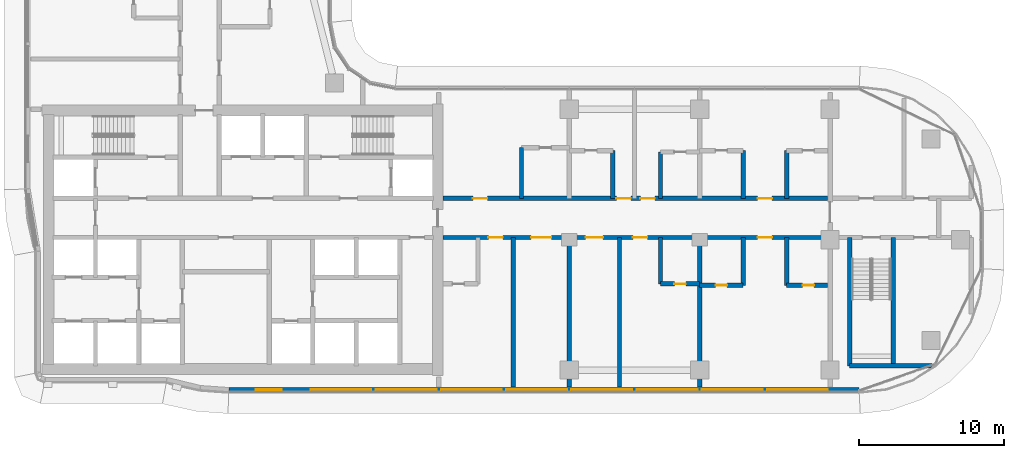
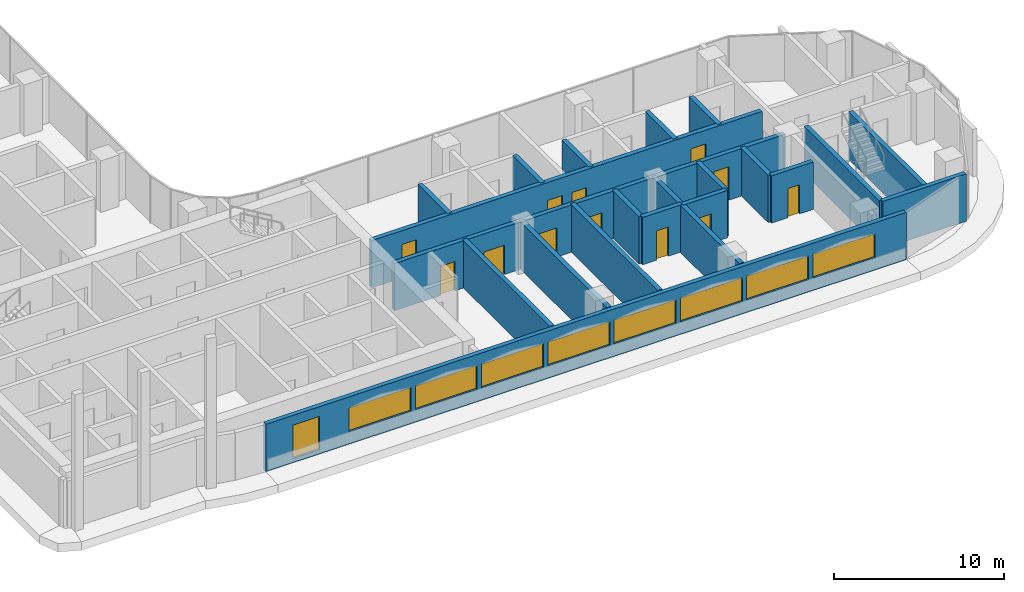
# One storey, part 11 of 25: 21 walls, 12 doors, 9 windows, 21 openings.
"""IFC4 building model written with IfcOpenShell, lengths in metres."""

from ifc_helpers import new_model, si_unit, direction, frame, frame_2d, origin, place, context, subcontext, project, spatial, rectangle, extrude, material, layer, layer_set, type_object, element, fill, save


model = new_model("IFC4")

# Units and contexts
model_context = context("Model", 3, precision=1e-05, world=origin(), true_north=direction((0.0, 1.0)))
body_context = subcontext(model_context, "Body", "Model", "MODEL_VIEW")
ifc_project = project(units=[si_unit("LENGTHUNIT", "METRE"), si_unit("AREAUNIT", "SQUARE_METRE"), si_unit("VOLUMEUNIT", "CUBIC_METRE"), si_unit("PLANEANGLEUNIT", "RADIAN"), si_unit("MASSUNIT", "GRAM", prefix="KILO")], contexts=[model_context])

# Site, building, storey
site_placement = place(None, origin())
site = spatial("IfcSite", under=ifc_project, at=site_placement, CompositionType="ELEMENT")
building_placement = place(site_placement, origin())
building = spatial("IfcBuilding", under=site, at=building_placement, Name="Ogive Portal Towers", CompositionType="ELEMENT")
storey_placement = place(building_placement, frame((0.0, 0.0, 105.60009765625)))
storey = spatial("IfcBuildingStorey", under=building, at=storey_placement, Name="L25", CompositionType="ELEMENT", Elevation=105.60009765625)

# Wall, openings, windows
ifc_material_1 = material(Name="Limestone cladding on lightweight block wall", Category="masonry")
ifc_layer_1 = layer(ifc_material_1, 0.300048828125)
ifc_layer_set_1 = layer_set([ifc_layer_1], Name="EXTERNAL WALL 300 STONE")
wall_type_1 = type_object("IfcWallType", Name="EXTERNAL WALL 300 STONE", PredefinedType="SOLIDWALL", material=ifc_layer_set_1)
wall_1_placement = place(storey_placement, frame((44.0107421875, 20.14990234375, 0.0), z_axis=(0.0, 0.0, 1.0), x_axis=(1.0, 0.0, 0.0)))
wall_1 = element("IfcWall", 1, at=wall_1_placement, inside=storey, type_object=wall_type_1, Name="A:L25:f06:r0:wall", PredefinedType="SOLIDWALL", context=body_context, shape_type="SweptSolid", body=[
    extrude(rectangle(XDim=43.4755859375, YDim=0.300048828125, at=frame_2d((21.73779296875, 0.0))), origin(), (0.0, 0.0, 1.0), 3.39990234375),
])
opening_1_placement = place(wall_1_placement, frame((1.8447265625, 0.0, 0.300048828125)))
opening_1 = element("IfcOpeningElement", 2, at=opening_1_placement, cuts=wall_1, Name="Opening WN10", PredefinedType="OPENING", context=body_context, shape_type="SweptSolid", body=[
    extrude(rectangle(XDim=1.800048828125, YDim=2.39990234375, at=frame_2d((0.89990234375, 1.199951171875))), frame((0.0, 0.16015625, 0.0), z_axis=(0.0, -1.0, 0.0), x_axis=(1.0, 0.0, 0.0)), (0.0, 0.0, 1.0), 0.320068359375),
])
opening_2_placement = place(wall_1_placement, frame((5.639404296875, 0.0, 0.89990234375)))
opening_2 = element("IfcOpeningElement", 3, at=opening_2_placement, cuts=wall_1, Name="Opening WN13", PredefinedType="OPENING", context=body_context, shape_type="SweptSolid", body=[
    extrude(rectangle(XDim=4.199951171875, YDim=1.699951171875, at=frame_2d((2.10009765625, 0.85009765625))), frame((0.0, 0.16015625, 0.0), z_axis=(0.0, -1.0, 0.0), x_axis=(1.0, 0.0, 0.0)), (0.0, 0.0, 1.0), 0.320068359375),
])
opening_3_placement = place(wall_1_placement, frame((10.139404296875, 0.0, 0.89990234375)))
opening_3 = element("IfcOpeningElement", 4, at=opening_3_placement, cuts=wall_1, Name="Opening WN13", PredefinedType="OPENING", context=body_context, shape_type="SweptSolid", body=[
    extrude(rectangle(XDim=4.199951171875, YDim=1.699951171875, at=frame_2d((2.10009765625, 0.85009765625))), frame((0.0, 0.16015625, 0.0), z_axis=(0.0, -1.0, 0.0), x_axis=(1.0, 0.0, 0.0)), (0.0, 0.0, 1.0), 0.320068359375),
])
opening_4_placement = place(wall_1_placement, frame((14.639404296875, 0.0, 0.89990234375)))
opening_4 = element("IfcOpeningElement", 5, at=opening_4_placement, cuts=wall_1, Name="Opening WN13", PredefinedType="OPENING", context=body_context, shape_type="SweptSolid", body=[
    extrude(rectangle(XDim=4.199951171875, YDim=1.699951171875, at=frame_2d((2.10009765625, 0.85009765625))), frame((0.0, 0.16015625, 0.0), z_axis=(0.0, -1.0, 0.0), x_axis=(1.0, 0.0, 0.0)), (0.0, 0.0, 1.0), 0.320068359375),
])
opening_5_placement = place(wall_1_placement, frame((19.139404296875, 0.0, 0.89990234375)))
opening_5 = element("IfcOpeningElement", 6, at=opening_5_placement, cuts=wall_1, Name="Opening WN13", PredefinedType="OPENING", context=body_context, shape_type="SweptSolid", body=[
    extrude(rectangle(XDim=4.199951171875, YDim=1.699951171875, at=frame_2d((2.10009765625, 0.85009765625))), frame((0.0, 0.16015625, 0.0), z_axis=(0.0, -1.0, 0.0), x_axis=(1.0, 0.0, 0.0)), (0.0, 0.0, 1.0), 0.320068359375),
])
opening_6_placement = place(wall_1_placement, frame((23.639404296875, 0.0, 0.89990234375)))
opening_6 = element("IfcOpeningElement", 7, at=opening_6_placement, cuts=wall_1, Name="Opening WN13", PredefinedType="OPENING", context=body_context, shape_type="SweptSolid", body=[
    extrude(rectangle(XDim=4.199951171875, YDim=1.699951171875, at=frame_2d((2.10009765625, 0.85009765625))), frame((0.0, 0.16015625, 0.0), z_axis=(0.0, -1.0, 0.0), x_axis=(1.0, 0.0, 0.0)), (0.0, 0.0, 1.0), 0.320068359375),
])
opening_7_placement = place(wall_1_placement, frame((28.139404296875, 0.0, 0.89990234375)))
opening_7 = element("IfcOpeningElement", 8, at=opening_7_placement, cuts=wall_1, Name="Opening WN13", PredefinedType="OPENING", context=body_context, shape_type="SweptSolid", body=[
    extrude(rectangle(XDim=4.199951171875, YDim=1.699951171875, at=frame_2d((2.10009765625, 0.85009765625))), frame((0.0, 0.16015625, 0.0), z_axis=(0.0, -1.0, 0.0), x_axis=(1.0, 0.0, 0.0)), (0.0, 0.0, 1.0), 0.320068359375),
])
opening_8_placement = place(wall_1_placement, frame((32.639404296875, 0.0, 0.89990234375)))
opening_8 = element("IfcOpeningElement", 9, at=opening_8_placement, cuts=wall_1, Name="Opening WN13", PredefinedType="OPENING", context=body_context, shape_type="SweptSolid", body=[
    extrude(rectangle(XDim=4.199951171875, YDim=1.699951171875, at=frame_2d((2.10009765625, 0.85009765625))), frame((0.0, 0.16015625, 0.0), z_axis=(0.0, -1.0, 0.0), x_axis=(1.0, 0.0, 0.0)), (0.0, 0.0, 1.0), 0.320068359375),
])
opening_9_placement = place(wall_1_placement, frame((37.139404296875, 0.0, 0.89990234375)))
opening_9 = element("IfcOpeningElement", 10, at=opening_9_placement, cuts=wall_1, Name="Opening WN13", PredefinedType="OPENING", context=body_context, shape_type="SweptSolid", body=[
    extrude(rectangle(XDim=4.199951171875, YDim=1.699951171875, at=frame_2d((2.10009765625, 0.85009765625))), frame((0.0, 0.16015625, 0.0), z_axis=(0.0, -1.0, 0.0), x_axis=(1.0, 0.0, 0.0)), (0.0, 0.0, 1.0), 0.320068359375),
])
ifc_material_2 = material(Name="Glass, clear low-iron insulated glazing", Category="glass")
window_type_1 = type_object("IfcWindowType", Name="WINDOW RIBBON LANCET 4200x1700", PartitioningType="TRIPLE_PANEL_VERTICAL", PredefinedType="WINDOW", material=ifc_material_2)
window_1_placement = place(opening_2_placement, origin())
window_1 = element("IfcWindow", 11, at=window_1_placement, inside=storey, type_object=window_type_1, Name="A:L25:f06:r0:w1", OverallHeight=1.699951171875, OverallWidth=4.199951171875, PartitioningType="SINGLE_PANEL", PredefinedType="WINDOW", context=body_context, shape_type="SweptSolid", body=[
    extrude(rectangle(XDim=4.199951171875, YDim=1.699951171875, at=frame_2d((2.10009765625, 0.85009765625))), frame((0.0, 0.030029296875, 0.0), z_axis=(0.0, -1.0, 0.0), x_axis=(1.0, 0.0, 0.0)), (0.0, 0.0, 1.0), 0.06005859375),
])
fill(opening_2, window_1)
window_2_placement = place(opening_3_placement, origin())
window_2 = element("IfcWindow", 12, at=window_2_placement, inside=storey, type_object=window_type_1, Name="A:L25:f06:r0:w2", OverallHeight=1.699951171875, OverallWidth=4.199951171875, PartitioningType="SINGLE_PANEL", PredefinedType="WINDOW", context=body_context, shape_type="SweptSolid", body=[
    extrude(rectangle(XDim=4.199951171875, YDim=1.699951171875, at=frame_2d((2.10009765625, 0.85009765625))), frame((0.0, 0.030029296875, 0.0), z_axis=(0.0, -1.0, 0.0), x_axis=(1.0, 0.0, 0.0)), (0.0, 0.0, 1.0), 0.06005859375),
])
fill(opening_3, window_2)
window_3_placement = place(opening_4_placement, origin())
window_3 = element("IfcWindow", 13, at=window_3_placement, inside=storey, type_object=window_type_1, Name="A:L25:f06:r0:w3", OverallHeight=1.699951171875, OverallWidth=4.199951171875, PartitioningType="SINGLE_PANEL", PredefinedType="WINDOW", context=body_context, shape_type="SweptSolid", body=[
    extrude(rectangle(XDim=4.199951171875, YDim=1.699951171875, at=frame_2d((2.10009765625, 0.85009765625))), frame((0.0, 0.030029296875, 0.0), z_axis=(0.0, -1.0, 0.0), x_axis=(1.0, 0.0, 0.0)), (0.0, 0.0, 1.0), 0.06005859375),
])
fill(opening_4, window_3)
window_4_placement = place(opening_5_placement, origin())
window_4 = element("IfcWindow", 14, at=window_4_placement, inside=storey, type_object=window_type_1, Name="A:L25:f06:r0:w4", OverallHeight=1.699951171875, OverallWidth=4.199951171875, PartitioningType="SINGLE_PANEL", PredefinedType="WINDOW", context=body_context, shape_type="SweptSolid", body=[
    extrude(rectangle(XDim=4.199951171875, YDim=1.699951171875, at=frame_2d((2.10009765625, 0.85009765625))), frame((0.0, 0.030029296875, 0.0), z_axis=(0.0, -1.0, 0.0), x_axis=(1.0, 0.0, 0.0)), (0.0, 0.0, 1.0), 0.06005859375),
])
fill(opening_5, window_4)
window_5_placement = place(opening_6_placement, origin())
window_5 = element("IfcWindow", 15, at=window_5_placement, inside=storey, type_object=window_type_1, Name="A:L25:f06:r0:w5", OverallHeight=1.699951171875, OverallWidth=4.199951171875, PartitioningType="SINGLE_PANEL", PredefinedType="WINDOW", context=body_context, shape_type="SweptSolid", body=[
    extrude(rectangle(XDim=4.199951171875, YDim=1.699951171875, at=frame_2d((2.10009765625, 0.85009765625))), frame((0.0, 0.030029296875, 0.0), z_axis=(0.0, -1.0, 0.0), x_axis=(1.0, 0.0, 0.0)), (0.0, 0.0, 1.0), 0.06005859375),
])
fill(opening_6, window_5)
window_6_placement = place(opening_7_placement, origin())
window_6 = element("IfcWindow", 16, at=window_6_placement, inside=storey, type_object=window_type_1, Name="A:L25:f06:r0:w6", OverallHeight=1.699951171875, OverallWidth=4.199951171875, PartitioningType="SINGLE_PANEL", PredefinedType="WINDOW", context=body_context, shape_type="SweptSolid", body=[
    extrude(rectangle(XDim=4.199951171875, YDim=1.699951171875, at=frame_2d((2.10009765625, 0.85009765625))), frame((0.0, 0.030029296875, 0.0), z_axis=(0.0, -1.0, 0.0), x_axis=(1.0, 0.0, 0.0)), (0.0, 0.0, 1.0), 0.06005859375),
])
fill(opening_7, window_6)
window_7_placement = place(opening_8_placement, origin())
window_7 = element("IfcWindow", 17, at=window_7_placement, inside=storey, type_object=window_type_1, Name="A:L25:f06:r0:w7", OverallHeight=1.699951171875, OverallWidth=4.199951171875, PartitioningType="SINGLE_PANEL", PredefinedType="WINDOW", context=body_context, shape_type="SweptSolid", body=[
    extrude(rectangle(XDim=4.199951171875, YDim=1.699951171875, at=frame_2d((2.10009765625, 0.85009765625))), frame((0.0, 0.030029296875, 0.0), z_axis=(0.0, -1.0, 0.0), x_axis=(1.0, 0.0, 0.0)), (0.0, 0.0, 1.0), 0.06005859375),
])
fill(opening_8, window_7)
window_8_placement = place(opening_9_placement, origin())
window_8 = element("IfcWindow", 18, at=window_8_placement, inside=storey, type_object=window_type_1, Name="A:L25:f06:r0:w8", OverallHeight=1.699951171875, OverallWidth=4.199951171875, PartitioningType="SINGLE_PANEL", PredefinedType="WINDOW", context=body_context, shape_type="SweptSolid", body=[
    extrude(rectangle(XDim=4.199951171875, YDim=1.699951171875, at=frame_2d((2.10009765625, 0.85009765625))), frame((0.0, 0.030029296875, 0.0), z_axis=(0.0, -1.0, 0.0), x_axis=(1.0, 0.0, 0.0)), (0.0, 0.0, 1.0), 0.06005859375),
])
fill(opening_9, window_8)
window_type_2 = type_object("IfcWindowType", Name="WINDOW SUITE CORNER 1800x2400", PartitioningType="DOUBLE_PANEL_VERTICAL", PredefinedType="WINDOW", material=ifc_material_2)
window_9_placement = place(opening_1_placement, origin())
window_9 = element("IfcWindow", 19, at=window_9_placement, inside=storey, type_object=window_type_2, Name="A:L25:f06:r0:w0", OverallHeight=2.39990234375, OverallWidth=1.800048828125, PartitioningType="SINGLE_PANEL", PredefinedType="WINDOW", context=body_context, shape_type="SweptSolid", body=[
    extrude(rectangle(XDim=1.800048828125, YDim=2.39990234375, at=frame_2d((0.89990234375, 1.199951171875))), frame((0.0, 0.030029296875, 0.0), z_axis=(0.0, -1.0, 0.0), x_axis=(1.0, 0.0, 0.0)), (0.0, 0.0, 1.0), 0.06005859375),
])
fill(opening_1, window_9)

# Walls
ifc_material_3 = material(Name="Concrete C50/60", Category="concrete")
ifc_layer_2 = layer(ifc_material_3, 0.300048828125)
ifc_layer_set_2 = layer_set([ifc_layer_2], Name="STAIR WALL 300 C50")
wall_type_2 = type_object("IfcWallType", Name="STAIR WALL 300 C50", PredefinedType="SHEAR", material=ifc_layer_set_2)
wall_2_placement = place(storey_placement, frame((86.85009765625, 21.800048828125, 0.0), z_axis=(0.0, 0.0, 1.0), x_axis=(1.0, 0.0, 0.0)))
element("IfcWall", 20, at=wall_2_placement, inside=storey, type_object=wall_type_2, Name="Stair wall ST-A4 L25", PredefinedType="SHEAR", context=body_context, shape_type="SweptSolid", body=[
    extrude(rectangle(XDim=5.664794921875, YDim=0.300048828125, at=frame_2d((2.83251953125, 0.0))), origin(), (0.0, 0.0, 1.0), 3.39990234375),
])
for number, where, z_axis, x_axis, name in (
    (21, (86.85009765625, 21.800048828125, 0.0), (0.0, 0.0, 1.0), (0.0, 1.0, 0.0), "Stair wall ST-A4 L25"),
    (22, (89.85009765625, 21.800048828125, 0.0), (0.0, 0.0, 1.0), (0.0, 1.0, 0.0), "Stair wall ST-A4 L25"),
):
    element("IfcWall", number, at=place(storey_placement, frame(where, z_axis=z_axis, x_axis=x_axis)), inside=storey, type_object=wall_type_2, Name=name, PredefinedType="SHEAR", context=body_context, shape_type="SweptSolid", body=[
        extrude(rectangle(XDim=8.849853515625, YDim=0.300048828125, at=frame_2d((4.4248046875, 0.0))), origin(), (0.0, 0.0, 1.0), 3.39990234375),
    ])

# Wall, openings, doors
ifc_material_4 = material(Name="Gypsum board partition on steel studs", Category="steel")
ifc_layer_3 = layer(ifc_material_4, 0.300048828125)
ifc_layer_set_3 = layer_set([ifc_layer_3], Name="WT-PART-300-EI 120")
wall_type_3 = type_object("IfcWallType", Name="WT-PART-300-EI 120", PredefinedType="PARTITIONING", material=ifc_layer_set_3)
wall_3_placement = place(storey_placement, frame((58.800048828125, 30.64990234375, 0.0), z_axis=(0.0, 0.0, 1.0), x_axis=(1.0, 0.0, 0.0)))
wall_3 = element("IfcWall", 23, at=wall_3_placement, inside=storey, type_object=wall_type_3, Name="Wall L25:w006", PredefinedType="PARTITIONING", context=body_context, shape_type="SweptSolid", body=[
    extrude(rectangle(XDim=26.530029296875, YDim=0.300048828125, at=frame_2d((13.26513671875, 0.0))), origin(), (0.0, 0.0, 1.0), 3.39990234375),
])
opening_10_placement = place(wall_3_placement, frame((3.114990234375, 0.0, 0.0)))
opening_10 = element("IfcOpeningElement", 24, at=opening_10_placement, cuts=wall_3, Name="Opening D09-027", PredefinedType="OPENING", context=body_context, shape_type="SweptSolid", body=[
    extrude(rectangle(XDim=1.0, YDim=2.10009765625, at=frame_2d((0.5, 1.050048828125))), frame((0.0, 0.16015625, 0.0), z_axis=(0.0, -1.0, 0.0), x_axis=(1.0, 0.0, 0.0)), (0.0, 0.0, 1.0), 0.320068359375),
])
opening_11_placement = place(wall_3_placement, frame((6.06494140625, 0.0, 0.0)))
opening_11 = element("IfcOpeningElement", 25, at=opening_11_placement, cuts=wall_3, Name="Opening D09-028", PredefinedType="OPENING", context=body_context, shape_type="SweptSolid", body=[
    extrude(rectangle(XDim=1.39990234375, YDim=2.10009765625, at=frame_2d((0.699951171875, 1.050048828125))), frame((0.0, 0.16015625, 0.0), z_axis=(0.0, -1.0, 0.0), x_axis=(1.0, 0.0, 0.0)), (0.0, 0.0, 1.0), 0.320068359375),
])
opening_12_placement = place(wall_3_placement, frame((9.8349609375, 0.0, 0.0)))
opening_12 = element("IfcOpeningElement", 26, at=opening_12_placement, cuts=wall_3, Name="Opening D09-033", PredefinedType="OPENING", context=body_context, shape_type="SweptSolid", body=[
    extrude(rectangle(XDim=1.199951171875, YDim=2.10009765625, at=frame_2d((0.60009765625, 1.050048828125))), frame((0.0, 0.16015625, 0.0), z_axis=(0.0, -1.0, 0.0), x_axis=(1.0, 0.0, 0.0)), (0.0, 0.0, 1.0), 0.320068359375),
])
opening_13_placement = place(wall_3_placement, frame((13.0849609375, 0.0, 0.0)))
opening_13 = element("IfcOpeningElement", 27, at=opening_13_placement, cuts=wall_3, Name="Opening D09-035", PredefinedType="OPENING", context=body_context, shape_type="SweptSolid", body=[
    extrude(rectangle(XDim=1.0, YDim=2.10009765625, at=frame_2d((0.5, 1.050048828125))), frame((0.0, 0.16015625, 0.0), z_axis=(0.0, -1.0, 0.0), x_axis=(1.0, 0.0, 0.0)), (0.0, 0.0, 1.0), 0.320068359375),
])
opening_14_placement = place(wall_3_placement, frame((21.699951171875, 0.0, 0.0)))
opening_14 = element("IfcOpeningElement", 28, at=opening_14_placement, cuts=wall_3, Name="Opening D09-041", PredefinedType="OPENING", context=body_context, shape_type="SweptSolid", body=[
    extrude(rectangle(XDim=1.0, YDim=2.39990234375, at=frame_2d((0.5, 1.199951171875))), frame((0.0, 0.16015625, 0.0), z_axis=(0.0, -1.0, 0.0), x_axis=(1.0, 0.0, 0.0)), (0.0, 0.0, 1.0), 0.320068359375),
])
ifc_material_5 = material(Name="Steel fire door", Category="steel")
door_type_1 = type_object("IfcDoorType", Name="DT-ENTRY-1000x2100-FD90S", OperationType="SINGLE_SWING_LEFT", PredefinedType="DOOR", material=ifc_material_5)
door_1_placement = place(opening_10_placement, origin())
door_1 = element("IfcDoor", 29, at=door_1_placement, inside=storey, type_object=door_type_1, Name="Door D09-027", OperationType="SINGLE_SWING_RIGHT", OverallHeight=2.10009765625, OverallWidth=1.0, PredefinedType="DOOR", context=body_context, shape_type="SweptSolid", body=[
    extrude(rectangle(XDim=1.0, YDim=2.10009765625, at=frame_2d((0.5, 1.050048828125))), frame((0.0, 0.02490234375, 0.0), z_axis=(0.0, -1.0, 0.0), x_axis=(1.0, 0.0, 0.0)), (0.0, 0.0, 1.0), 0.050048828125),
])
fill(opening_10, door_1)
door_2_placement = place(opening_13_placement, origin())
door_2 = element("IfcDoor", 30, at=door_2_placement, inside=storey, type_object=door_type_1, Name="Door D09-035", OperationType="SINGLE_SWING_LEFT", OverallHeight=2.10009765625, OverallWidth=1.0, PredefinedType="DOOR", context=body_context, shape_type="SweptSolid", body=[
    extrude(rectangle(XDim=1.0, YDim=2.10009765625, at=frame_2d((0.5, 1.050048828125))), frame((0.0, 0.02490234375, 0.0), z_axis=(0.0, -1.0, 0.0), x_axis=(1.0, 0.0, 0.0)), (0.0, 0.0, 1.0), 0.050048828125),
])
fill(opening_13, door_2)
door_type_2 = type_object("IfcDoorType", Name="DT-ENTRY-1000x2400-FD90S", OperationType="SINGLE_SWING_LEFT", PredefinedType="DOOR", material=ifc_material_5)
door_3_placement = place(opening_14_placement, origin())
door_3 = element("IfcDoor", 31, at=door_3_placement, inside=storey, type_object=door_type_2, Name="Door D09-041", OperationType="SINGLE_SWING_LEFT", OverallHeight=2.39990234375, OverallWidth=1.0, PredefinedType="DOOR", context=body_context, shape_type="SweptSolid", body=[
    extrude(rectangle(XDim=1.0, YDim=2.39990234375, at=frame_2d((0.5, 1.199951171875))), frame((0.0, 0.02490234375, 0.0), z_axis=(0.0, -1.0, 0.0), x_axis=(1.0, 0.0, 0.0)), (0.0, 0.0, 1.0), 0.050048828125),
])
fill(opening_14, door_3)
door_type_3 = type_object("IfcDoorType", Name="DT-ENTRY-1200x2100-FD90S", OperationType="SINGLE_SWING_LEFT", PredefinedType="DOOR", material=ifc_material_5)
door_4_placement = place(opening_12_placement, origin())
door_4 = element("IfcDoor", 32, at=door_4_placement, inside=storey, type_object=door_type_3, Name="Door D09-033", OperationType="SINGLE_SWING_LEFT", OverallHeight=2.10009765625, OverallWidth=1.199951171875, PredefinedType="DOOR", context=body_context, shape_type="SweptSolid", body=[
    extrude(rectangle(XDim=1.199951171875, YDim=2.10009765625, at=frame_2d((0.60009765625, 1.050048828125))), frame((0.0, 0.02490234375, 0.0), z_axis=(0.0, -1.0, 0.0), x_axis=(1.0, 0.0, 0.0)), (0.0, 0.0, 1.0), 0.050048828125),
])
fill(opening_12, door_4)
door_type_4 = type_object("IfcDoorType", Name="DT-ENTRY-1400x2100-FD90S", OperationType="SINGLE_SWING_LEFT", PredefinedType="DOOR", material=ifc_material_5)
door_5_placement = place(opening_11_placement, origin())
door_5 = element("IfcDoor", 33, at=door_5_placement, inside=storey, type_object=door_type_4, Name="Door D09-028", OperationType="SINGLE_SWING_LEFT", OverallHeight=2.10009765625, OverallWidth=1.39990234375, PredefinedType="DOOR", context=body_context, shape_type="SweptSolid", body=[
    extrude(rectangle(XDim=1.39990234375, YDim=2.10009765625, at=frame_2d((0.699951171875, 1.050048828125))), frame((0.0, 0.02490234375, 0.0), z_axis=(0.0, -1.0, 0.0), x_axis=(1.0, 0.0, 0.0)), (0.0, 0.0, 1.0), 0.050048828125),
])
fill(opening_11, door_5)

wall_4_placement = place(storey_placement, frame((58.800048828125, 33.35009765625, 0.0), z_axis=(0.0, 0.0, 1.0), x_axis=(1.0, 0.0, 0.0)))
wall_4 = element("IfcWall", 34, at=wall_4_placement, inside=storey, type_object=wall_type_3, Name="Wall L25:w008", PredefinedType="PARTITIONING", context=body_context, shape_type="SweptSolid", body=[
    extrude(rectangle(XDim=26.530029296875, YDim=0.300048828125, at=frame_2d((13.26513671875, 0.0))), origin(), (0.0, 0.0, 1.0), 3.39990234375),
])
opening_15_placement = place(wall_4_placement, frame((2.050048828125, 0.0, 0.0)))
opening_15 = element("IfcOpeningElement", 35, at=opening_15_placement, cuts=wall_4, Name="Opening D09-025", PredefinedType="OPENING", context=body_context, shape_type="SweptSolid", body=[
    extrude(rectangle(XDim=1.0, YDim=2.39990234375, at=frame_2d((0.5, 1.199951171875))), frame((0.0, 0.16015625, 0.0), z_axis=(0.0, -1.0, 0.0), x_axis=(1.0, 0.0, 0.0)), (0.0, 0.0, 1.0), 0.320068359375),
])
opening_16_placement = place(wall_4_placement, frame((11.949951171875, 0.0, 0.0)))
opening_16 = element("IfcOpeningElement", 36, at=opening_16_placement, cuts=wall_4, Name="Opening D09-030", PredefinedType="OPENING", context=body_context, shape_type="SweptSolid", body=[
    extrude(rectangle(XDim=1.0, YDim=2.10009765625, at=frame_2d((0.5, 1.050048828125))), frame((0.0, 0.16015625, 0.0), z_axis=(0.0, -1.0, 0.0), x_axis=(1.0, 0.0, 0.0)), (0.0, 0.0, 1.0), 0.320068359375),
])
opening_17_placement = place(wall_4_placement, frame((13.60009765625, 0.0, 0.0)))
opening_17 = element("IfcOpeningElement", 37, at=opening_17_placement, cuts=wall_4, Name="Opening D09-032", PredefinedType="OPENING", context=body_context, shape_type="SweptSolid", body=[
    extrude(rectangle(XDim=1.0, YDim=2.10009765625, at=frame_2d((0.5, 1.050048828125))), frame((0.0, 0.16015625, 0.0), z_axis=(0.0, -1.0, 0.0), x_axis=(1.0, 0.0, 0.0)), (0.0, 0.0, 1.0), 0.320068359375),
])
opening_18_placement = place(wall_4_placement, frame((21.699951171875, 0.0, 0.0)))
opening_18 = element("IfcOpeningElement", 38, at=opening_18_placement, cuts=wall_4, Name="Opening D09-038", PredefinedType="OPENING", context=body_context, shape_type="SweptSolid", body=[
    extrude(rectangle(XDim=1.0, YDim=2.39990234375, at=frame_2d((0.5, 1.199951171875))), frame((0.0, 0.16015625, 0.0), z_axis=(0.0, -1.0, 0.0), x_axis=(1.0, 0.0, 0.0)), (0.0, 0.0, 1.0), 0.320068359375),
])
door_6_placement = place(opening_16_placement, origin())
door_6 = element("IfcDoor", 39, at=door_6_placement, inside=storey, type_object=door_type_1, Name="Door D09-030", OperationType="SINGLE_SWING_RIGHT", OverallHeight=2.10009765625, OverallWidth=1.0, PredefinedType="DOOR", context=body_context, shape_type="SweptSolid", body=[
    extrude(rectangle(XDim=1.0, YDim=2.10009765625, at=frame_2d((0.5, 1.050048828125))), frame((0.0, 0.02490234375, 0.0), z_axis=(0.0, -1.0, 0.0), x_axis=(1.0, 0.0, 0.0)), (0.0, 0.0, 1.0), 0.050048828125),
])
fill(opening_16, door_6)
door_7_placement = place(opening_17_placement, origin())
door_7 = element("IfcDoor", 40, at=door_7_placement, inside=storey, type_object=door_type_1, Name="Door D09-032", OperationType="SINGLE_SWING_LEFT", OverallHeight=2.10009765625, OverallWidth=1.0, PredefinedType="DOOR", context=body_context, shape_type="SweptSolid", body=[
    extrude(rectangle(XDim=1.0, YDim=2.10009765625, at=frame_2d((0.5, 1.050048828125))), frame((0.0, 0.02490234375, 0.0), z_axis=(0.0, -1.0, 0.0), x_axis=(1.0, 0.0, 0.0)), (0.0, 0.0, 1.0), 0.050048828125),
])
fill(opening_17, door_7)
door_8_placement = place(opening_15_placement, origin())
door_8 = element("IfcDoor", 41, at=door_8_placement, inside=storey, type_object=door_type_2, Name="Door D09-025", OperationType="SINGLE_SWING_LEFT", OverallHeight=2.39990234375, OverallWidth=1.0, PredefinedType="DOOR", context=body_context, shape_type="SweptSolid", body=[
    extrude(rectangle(XDim=1.0, YDim=2.39990234375, at=frame_2d((0.5, 1.199951171875))), frame((0.0, 0.02490234375, 0.0), z_axis=(0.0, -1.0, 0.0), x_axis=(1.0, 0.0, 0.0)), (0.0, 0.0, 1.0), 0.050048828125),
])
fill(opening_15, door_8)
door_9_placement = place(opening_18_placement, origin())
door_9 = element("IfcDoor", 42, at=door_9_placement, inside=storey, type_object=door_type_2, Name="Door D09-038", OperationType="SINGLE_SWING_LEFT", OverallHeight=2.39990234375, OverallWidth=1.0, PredefinedType="DOOR", context=body_context, shape_type="SweptSolid", body=[
    extrude(rectangle(XDim=1.0, YDim=2.39990234375, at=frame_2d((0.5, 1.199951171875))), frame((0.0, 0.02490234375, 0.0), z_axis=(0.0, -1.0, 0.0), x_axis=(1.0, 0.0, 0.0)), (0.0, 0.0, 1.0), 0.050048828125),
])
fill(opening_18, door_9)

# Wall, opening, door
ifc_layer_4 = layer(ifc_material_4, 0.300048828125)
ifc_layer_set_4 = layer_set([ifc_layer_4], Name="WT-PART-300-EI 60")
wall_type_4 = type_object("IfcWallType", Name="WT-PART-300-EI 60", PredefinedType="PARTITIONING", material=ifc_layer_set_4)
wall_5_placement = place(storey_placement, frame((76.5, 27.35009765625, 0.0), z_axis=(0.0, 0.0, 1.0), x_axis=(1.0, 0.0, 0.0)))
wall_5 = element("IfcWall", 43, at=wall_5_placement, inside=storey, type_object=wall_type_4, Name="Wall L25:w002", PredefinedType="PARTITIONING", context=body_context, shape_type="SweptSolid", body=[
    extrude(rectangle(XDim=3.0, YDim=0.300048828125, at=frame_2d((1.5, 0.0))), origin(), (0.0, 0.0, 1.0), 3.39990234375),
])
opening_19_placement = place(wall_5_placement, frame((1.10009765625, 0.0, 0.0)))
opening_19 = element("IfcOpeningElement", 44, at=opening_19_placement, cuts=wall_5, Name="Opening D09-039", PredefinedType="OPENING", context=body_context, shape_type="SweptSolid", body=[
    extrude(rectangle(XDim=0.800048828125, YDim=2.10009765625, at=frame_2d((0.39990234375, 1.050048828125))), frame((0.0, 0.16015625, 0.0), z_axis=(0.0, -1.0, 0.0), x_axis=(1.0, 0.0, 0.0)), (0.0, 0.0, 1.0), 0.320068359375),
])
door_type_5 = type_object("IfcDoorType", Name="DT-BATH-800x2100-FD60S", OperationType="SINGLE_SWING_LEFT", PredefinedType="DOOR", material=ifc_material_5)
door_10_placement = place(opening_19_placement, origin())
door_10 = element("IfcDoor", 45, at=door_10_placement, inside=storey, type_object=door_type_5, Name="Door D09-039", OperationType="SINGLE_SWING_LEFT", OverallHeight=2.10009765625, OverallWidth=0.800048828125, PredefinedType="DOOR", context=body_context, shape_type="SweptSolid", body=[
    extrude(rectangle(XDim=0.800048828125, YDim=2.10009765625, at=frame_2d((0.39990234375, 1.050048828125))), frame((0.0, 0.02490234375, 0.0), z_axis=(0.0, -1.0, 0.0), x_axis=(1.0, 0.0, 0.0)), (0.0, 0.0, 1.0), 0.050048828125),
])
fill(opening_19, door_10)

wall_6_placement = place(storey_placement, frame((82.5, 27.35009765625, 0.0), z_axis=(0.0, 0.0, 1.0), x_axis=(1.0, 0.0, 0.0)))
wall_6 = element("IfcWall", 46, at=wall_6_placement, inside=storey, type_object=wall_type_4, Name="Wall L25:w003", PredefinedType="PARTITIONING", context=body_context, shape_type="SweptSolid", body=[
    extrude(rectangle(XDim=2.830078125, YDim=0.300048828125, at=frame_2d((1.4150390625, 0.0))), origin(), (0.0, 0.0, 1.0), 3.39990234375),
])
opening_20_placement = place(wall_6_placement, frame((1.10009765625, 0.0, 0.0)))
opening_20 = element("IfcOpeningElement", 47, at=opening_20_placement, cuts=wall_6, Name="Opening D09-040", PredefinedType="OPENING", context=body_context, shape_type="SweptSolid", body=[
    extrude(rectangle(XDim=0.800048828125, YDim=2.10009765625, at=frame_2d((0.39990234375, 1.050048828125))), frame((0.0, 0.16015625, 0.0), z_axis=(0.0, -1.0, 0.0), x_axis=(1.0, 0.0, 0.0)), (0.0, 0.0, 1.0), 0.320068359375),
])
door_11_placement = place(opening_20_placement, origin())
door_11 = element("IfcDoor", 48, at=door_11_placement, inside=storey, type_object=door_type_5, Name="Door D09-040", OperationType="SINGLE_SWING_RIGHT", OverallHeight=2.10009765625, OverallWidth=0.800048828125, PredefinedType="DOOR", context=body_context, shape_type="SweptSolid", body=[
    extrude(rectangle(XDim=0.800048828125, YDim=2.10009765625, at=frame_2d((0.39990234375, 1.050048828125))), frame((0.0, 0.02490234375, 0.0), z_axis=(0.0, -1.0, 0.0), x_axis=(1.0, 0.0, 0.0)), (0.0, 0.0, 1.0), 0.050048828125),
])
fill(opening_20, door_11)

wall_7_placement = place(storey_placement, frame((73.800048828125, 27.449951171875, 0.0), z_axis=(0.0, 0.0, 1.0), x_axis=(1.0, 0.0, 0.0)))
wall_7 = element("IfcWall", 49, at=wall_7_placement, inside=storey, type_object=wall_type_4, Name="Wall L25:w005", PredefinedType="PARTITIONING", context=body_context, shape_type="SweptSolid", body=[
    extrude(rectangle(XDim=2.699951171875, YDim=0.300048828125, at=frame_2d((1.35009765625, 0.0))), origin(), (0.0, 0.0, 1.0), 3.39990234375),
])
opening_21_placement = place(wall_7_placement, frame((0.949951171875, 0.0, 0.0)))
opening_21 = element("IfcOpeningElement", 50, at=opening_21_placement, cuts=wall_7, Name="Opening D09-034", PredefinedType="OPENING", context=body_context, shape_type="SweptSolid", body=[
    extrude(rectangle(XDim=0.800048828125, YDim=2.10009765625, at=frame_2d((0.39990234375, 1.050048828125))), frame((0.0, 0.16015625, 0.0), z_axis=(0.0, -1.0, 0.0), x_axis=(1.0, 0.0, 0.0)), (0.0, 0.0, 1.0), 0.320068359375),
])
door_12_placement = place(opening_21_placement, origin())
door_12 = element("IfcDoor", 51, at=door_12_placement, inside=storey, type_object=door_type_5, Name="Door D09-034", OperationType="SINGLE_SWING_RIGHT", OverallHeight=2.10009765625, OverallWidth=0.800048828125, PredefinedType="DOOR", context=body_context, shape_type="SweptSolid", body=[
    extrude(rectangle(XDim=0.800048828125, YDim=2.10009765625, at=frame_2d((0.39990234375, 1.050048828125))), frame((0.0, 0.02490234375, 0.0), z_axis=(0.0, -1.0, 0.0), x_axis=(1.0, 0.0, 0.0)), (0.0, 0.0, 1.0), 0.050048828125),
])
fill(opening_21, door_12)

# Walls
wall_8_placement = place(storey_placement, frame((63.6298828125, 20.35009765625, 0.0), z_axis=(0.0, 0.0, 1.0), x_axis=(0.0, 1.0, 0.0)))
element("IfcWall", 52, at=wall_8_placement, inside=storey, type_object=wall_type_4, Name="Wall L25:w047", PredefinedType="PARTITIONING", context=body_context, shape_type="SweptSolid", body=[
    extrude(rectangle(XDim=10.2998046875, YDim=0.300048828125, at=frame_2d((5.14990234375, 0.0))), origin(), (0.0, 0.0, 1.0), 3.39990234375),
])
wall_9_placement = place(storey_placement, frame((64.199951171875, 33.35009765625, 0.0), z_axis=(0.0, 0.0, 1.0), x_axis=(0.0, 1.0, 0.0)))
element("IfcWall", 53, at=wall_9_placement, inside=storey, type_object=wall_type_4, Name="Wall L25:w048", PredefinedType="PARTITIONING", context=body_context, shape_type="SweptSolid", body=[
    extrude(rectangle(XDim=3.5, YDim=0.300048828125, at=frame_2d((1.75, 0.0))), origin(), (0.0, 0.0, 1.0), 3.39990234375),
])
wall_10_placement = place(storey_placement, frame((67.5, 20.35009765625, 0.0), z_axis=(0.0, 0.0, 1.0), x_axis=(0.0, 1.0, 0.0)))
element("IfcWall", 54, at=wall_10_placement, inside=storey, type_object=wall_type_4, Name="Wall L25:w049", PredefinedType="PARTITIONING", context=body_context, shape_type="SweptSolid", body=[
    extrude(rectangle(XDim=10.2998046875, YDim=0.300048828125, at=frame_2d((5.14990234375, 0.0))), origin(), (0.0, 0.0, 1.0), 3.39990234375),
])
wall_11_placement = place(storey_placement, frame((70.5, 33.35009765625, 0.0), z_axis=(0.0, 0.0, 1.0), x_axis=(0.0, 1.0, 0.0)))
element("IfcWall", 55, at=wall_11_placement, inside=storey, type_object=wall_type_4, Name="Wall L25:w051", PredefinedType="PARTITIONING", context=body_context, shape_type="SweptSolid", body=[
    extrude(rectangle(XDim=3.2998046875, YDim=0.300048828125, at=frame_2d((1.64990234375, 0.0))), origin(), (0.0, 0.0, 1.0), 3.39990234375),
])
wall_12_placement = place(storey_placement, frame((70.969970703125, 20.35009765625, 0.0), z_axis=(0.0, 0.0, 1.0), x_axis=(0.0, 1.0, 0.0)))
element("IfcWall", 56, at=wall_12_placement, inside=storey, type_object=wall_type_4, Name="Wall L25:w052", PredefinedType="PARTITIONING", context=body_context, shape_type="SweptSolid", body=[
    extrude(rectangle(XDim=10.2998046875, YDim=0.300048828125, at=frame_2d((5.14990234375, 0.0))), origin(), (0.0, 0.0, 1.0), 3.39990234375),
])
for number, where, z_axis, x_axis, name in (
    (57, (73.800048828125, 27.449951171875, 0.0), (0.0, 0.0, 1.0), (0.0, 1.0, 0.0), "Wall L25:w054"),
    (58, (73.800048828125, 33.35009765625, 0.0), (0.0, 0.0, 1.0), (0.0, 1.0, 0.0), "Wall L25:w055"),
):
    element("IfcWall", number, at=place(storey_placement, frame(where, z_axis=z_axis, x_axis=x_axis)), inside=storey, type_object=wall_type_4, Name=name, PredefinedType="PARTITIONING", context=body_context, shape_type="SweptSolid", body=[
        extrude(rectangle(XDim=3.199951171875, YDim=0.300048828125, at=frame_2d((1.60009765625, 0.0))), origin(), (0.0, 0.0, 1.0), 3.39990234375),
    ])
wall_13_placement = place(storey_placement, frame((76.5, 20.35009765625, 0.0), z_axis=(0.0, 0.0, 1.0), x_axis=(0.0, 1.0, 0.0)))
element("IfcWall", 59, at=wall_13_placement, inside=storey, type_object=wall_type_4, Name="Wall L25:w056", PredefinedType="PARTITIONING", context=body_context, shape_type="SweptSolid", body=[
    extrude(rectangle(XDim=10.2998046875, YDim=0.300048828125, at=frame_2d((5.14990234375, 0.0))), origin(), (0.0, 0.0, 1.0), 3.39990234375),
])
for number, where, z_axis, x_axis, name in (
    (60, (79.5, 27.35009765625, 0.0), (0.0, 0.0, 1.0), (0.0, 1.0, 0.0), "Wall L25:w058"),
    (61, (79.5, 33.35009765625, 0.0), (0.0, 0.0, 1.0), (0.0, 1.0, 0.0), "Wall L25:w059"),
    (62, (82.5, 27.35009765625, 0.0), (0.0, 0.0, 1.0), (0.0, 1.0, 0.0), "Wall L25:w060"),
    (63, (82.5, 33.35009765625, 0.0), (0.0, 0.0, 1.0), (0.0, 1.0, 0.0), "Wall L25:w061"),
):
    element("IfcWall", number, at=place(storey_placement, frame(where, z_axis=z_axis, x_axis=x_axis)), inside=storey, type_object=wall_type_4, Name=name, PredefinedType="PARTITIONING", context=body_context, shape_type="SweptSolid", body=[
        extrude(rectangle(XDim=3.2998046875, YDim=0.300048828125, at=frame_2d((1.64990234375, 0.0))), origin(), (0.0, 0.0, 1.0), 3.39990234375),
    ])

save(model, "model.ifc")
